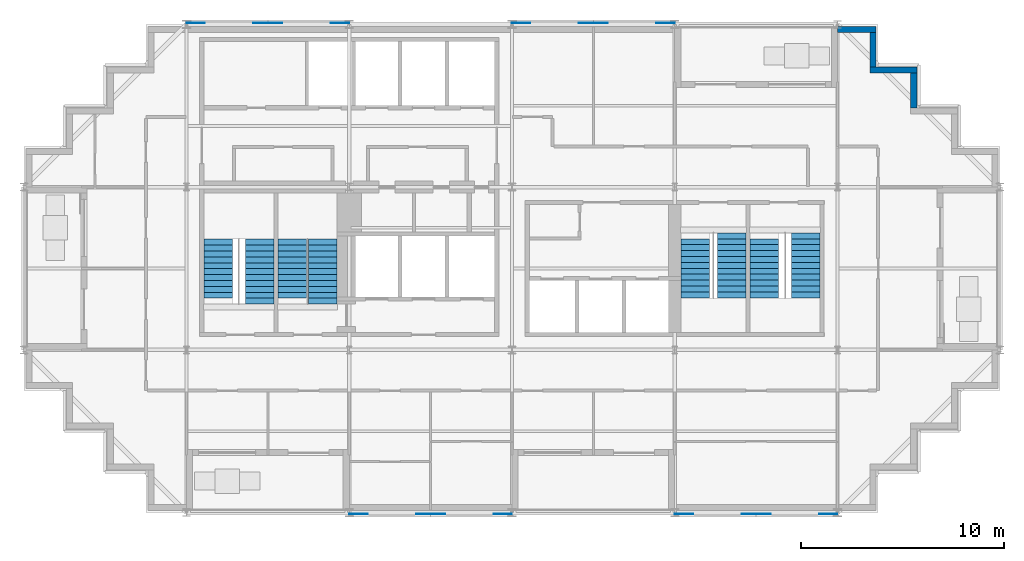
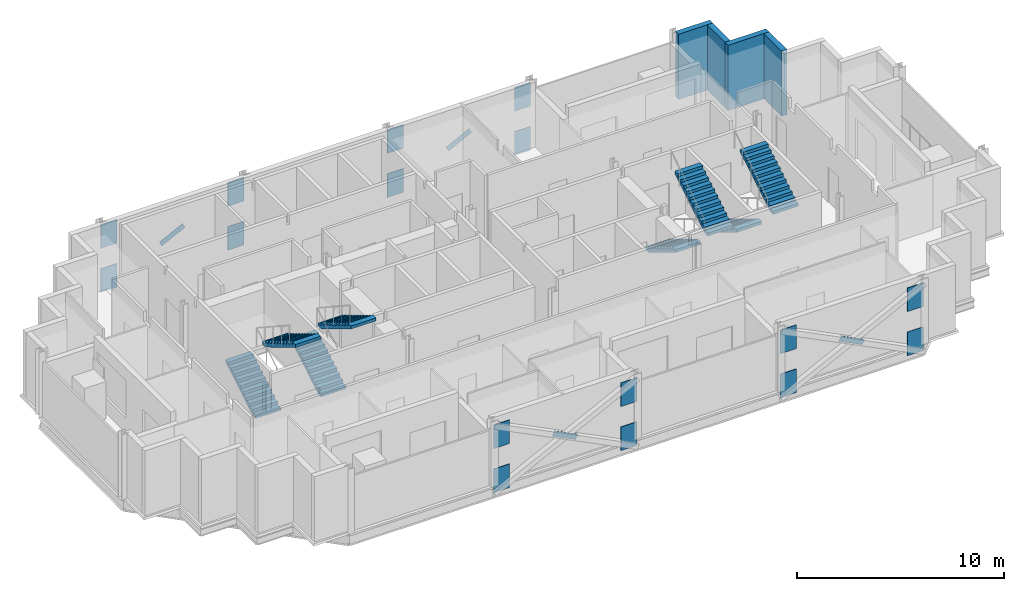
# One storey, part 8 of 10: 20 discrete accessories, 8 stair flights, 4 walls, 4 elements without a shape of their own.
"""IFC4 building model written with IfcOpenShell, lengths in metres."""

from ifc_helpers import new_model, si_unit, direction, frame, frame_2d, origin, origin_2d, place, context, subcontext, project, spatial, polyline, rectangle, outline, extrude, material, layer, layer_set, material_profile, profile_set, type_object, element, aggregate, save


model = new_model("IFC4")

# Units and contexts
model_context = context("Model", 3, precision=1e-05, world=origin(), true_north=direction((0.0, 1.0)))
body_context = subcontext(model_context, "Body", "Model", "MODEL_VIEW")
ifc_project = project(units=[si_unit("LENGTHUNIT", "METRE"), si_unit("AREAUNIT", "SQUARE_METRE"), si_unit("VOLUMEUNIT", "CUBIC_METRE"), si_unit("PLANEANGLEUNIT", "RADIAN"), si_unit("MASSUNIT", "GRAM", prefix="KILO")], contexts=[model_context])

# Site, building, storey
site_placement = place(None, origin())
site = spatial("IfcSite", under=ifc_project, at=site_placement, CompositionType="ELEMENT")
building_placement = place(site_placement, origin())
building = spatial("IfcBuilding", under=site, at=building_placement, Name="Immortelle Media Tower", CompositionType="ELEMENT")
storey_placement = place(building_placement, frame((0.0, 0.0, 291.0)))
storey = spatial("IfcBuildingStorey", under=building, at=storey_placement, Name="L64", CompositionType="ELEMENT", Elevation=291.0)

# Walls
ifc_material_1 = material(Name="Pale aluminium cladding panel", Category="aluminium")
ifc_layer_1 = layer(ifc_material_1, 0.030029296875)
ifc_material_2 = material(Name="Steel ASTM A653 SS Gr 50 stud frame with mineral wool", Category="steel")
ifc_layer_2 = layer(ifc_material_2, 0.257568359375)
ifc_material_3 = material(Name="Moisture-resistant gypsum board", Category="gypsum")
ifc_layer_3 = layer(ifc_material_3, 0.012451171875)
ifc_layer_set = layer_set([ifc_layer_1, ifc_layer_2, ifc_layer_3], Name="Steel ASTM A653 SS Gr 50 stud frame with mineral wool")
wall_type = type_object("IfcWallType", Name="Facade wall 300", PredefinedType="SOLIDWALL", material=ifc_layer_set)
wall_1_placement = place(storey_placement, frame((43.75, 19.89990234375, 0.0), z_axis=(0.0, 0.0, 1.0), x_axis=(0.0, 1.0, 0.0)))
element("IfcWall", 1, at=wall_1_placement, inside=storey, type_object=wall_type, Name="Facade wall L64 E17", PredefinedType="SOLIDWALL", context=body_context, shape_type="SweptSolid", body=[
    extrude(rectangle(XDim=1.7001953125, YDim=0.300048828125, at=frame_2d((0.85009765625, 0.0))), origin(), (0.0, 0.0, 1.0), 3.85009765625),
])
wall_2_placement = place(storey_placement, frame((43.89990234375, 21.75, 0.0), z_axis=(0.0, 0.0, 1.0), x_axis=(-1.0, 0.0, 0.0)))
element("IfcWall", 2, at=wall_2_placement, inside=storey, type_object=wall_type, Name="Facade wall L64 N18", PredefinedType="SOLIDWALL", context=body_context, shape_type="SweptSolid", body=[
    extrude(rectangle(XDim=2.2998046875, YDim=0.300048828125, at=frame_2d((1.14990234375, 0.0))), origin(), (0.0, 0.0, 1.0), 3.85009765625),
])
wall_3_placement = place(storey_placement, frame((41.75, 21.89990234375, 0.0), z_axis=(0.0, 0.0, 1.0), x_axis=(0.0, 1.0, 0.0)))
element("IfcWall", 3, at=wall_3_placement, inside=storey, type_object=wall_type, Name="Facade wall L64 E19", PredefinedType="SOLIDWALL", context=body_context, shape_type="SweptSolid", body=[
    extrude(rectangle(XDim=1.7001953125, YDim=0.300048828125, at=frame_2d((0.85009765625, 0.0))), origin(), (0.0, 0.0, 1.0), 3.85009765625),
])
wall_4_placement = place(storey_placement, frame((41.89990234375, 23.75, 0.0), z_axis=(0.0, 0.0, 1.0), x_axis=(-1.0, 0.0, 0.0)))
element("IfcWall", 4, at=wall_4_placement, inside=storey, type_object=wall_type, Name="Facade wall L64 N20", PredefinedType="SOLIDWALL", context=body_context, shape_type="SweptSolid", body=[
    extrude(rectangle(XDim=1.89990234375, YDim=0.300048828125, at=frame_2d((0.949951171875, 0.0))), origin(), (0.0, 0.0, 1.0), 3.85009765625),
])

# Stair, stair flights
ifc_material_4 = material(Name="Steel ASTM A992 Gr 50", Category="steel")
stair_type = type_object("IfcStairType", Name="Stair with flights", PredefinedType="DOUBLE_RETURN_STAIR", material=ifc_material_4)
stair_1_placement = place(storey_placement, origin())
stair_1 = element("IfcStair", 5, at=stair_1_placement, inside=storey, type_object=stair_type, Name="Exit stair SW1", PredefinedType="DOUBLE_RETURN_STAIR")
stair_flight_type = type_object("IfcStairFlightType", Name="Stair flight 1400", PredefinedType="STRAIGHT", material=ifc_material_4)
stair_flight_1_placement = place(storey_placement, frame((9.550048828125, 10.5400390625, 0.0), z_axis=(0.0, 0.0, 1.0), x_axis=(0.0, 1.0, 0.0)))
stair_flight_1 = element("IfcStairFlight", 6, at=stair_flight_1_placement, type_object=stair_flight_type, Name="ST SW1 flight 1", NumberOfRisers=11, NumberOfTreads=10, PredefinedType="STRAIGHT", RiserHeight=0.173913043, TreadLength=0.29, context=body_context, shape_type="SweptSolid", body=[
    extrude(outline(polyline([(0.0, 0.0), (0.0, 0.173828125), (0.2900390625, 0.173828125), (0.2900390625, 0.347900390625), (0.580078125, 0.347900390625), (0.580078125, 0.521728515625), (0.8701171875, 0.521728515625), (0.8701171875, 0.695556640625), (1.159912109375, 0.695556640625), (1.159912109375, 0.86962890625), (1.449951171875, 0.86962890625), (1.449951171875, 1.04345703125), (1.739990234375, 1.04345703125), (1.739990234375, 1.21728515625), (2.030029296875, 1.21728515625), (2.030029296875, 1.391357421875), (2.320068359375, 1.391357421875), (2.320068359375, 1.565185546875), (2.610107421875, 1.565185546875), (2.610107421875, 1.739013671875), (2.89990234375, 1.739013671875), (2.89990234375, 1.9130859375), (2.89990234375, 1.564453125), (0.29150390625, 0.0), (0.0, 0.0)])), frame((0.0, 0.699951171875, 0.0), z_axis=(0.0, -1.0, 0.0), x_axis=(1.0, 0.0, 0.0)), (0.0, 0.0, 1.0), 1.39990234375),
])
stair_flight_2_placement = place(storey_placement, frame((11.60009765625, 13.43994140625, 1.9130859375), z_axis=(0.0, 0.0, 1.0), x_axis=(0.0, -1.0, 0.0)))
stair_flight_2 = element("IfcStairFlight", 7, at=stair_flight_2_placement, type_object=stair_flight_type, Name="ST SW1 flight 2", NumberOfRisers=12, NumberOfTreads=11, PredefinedType="STRAIGHT", RiserHeight=0.173913043, TreadLength=0.29, context=body_context, shape_type="SweptSolid", body=[
    extrude(outline(polyline([(0.0, 0.0), (0.0, 0.173828125), (0.2900390625, 0.173828125), (0.2900390625, 0.347900390625), (0.580078125, 0.347900390625), (0.580078125, 0.521728515625), (0.8701171875, 0.521728515625), (0.8701171875, 0.695556640625), (1.159912109375, 0.695556640625), (1.159912109375, 0.86962890625), (1.449951171875, 0.86962890625), (1.449951171875, 1.04345703125), (1.739990234375, 1.04345703125), (1.739990234375, 1.21728515625), (2.030029296875, 1.21728515625), (2.030029296875, 1.391357421875), (2.320068359375, 1.391357421875), (2.320068359375, 1.565185546875), (2.610107421875, 1.565185546875), (2.610107421875, 1.739013671875), (2.89990234375, 1.739013671875), (2.89990234375, 1.9130859375), (3.18994140625, 1.9130859375), (3.18994140625, 2.0869140625), (3.18994140625, 1.73828125), (0.29150390625, 0.0), (0.0, 0.0)])), frame((0.0, 0.699951171875, 0.0), z_axis=(0.0, -1.0, 0.0), x_axis=(1.0, 0.0, 0.0)), (0.0, 0.0, 1.0), 1.39990234375),
])
aggregate(stair_1, [stair_flight_1, stair_flight_2])

stair_2_placement = place(storey_placement, origin())
stair_2 = element("IfcStair", 8, at=stair_2_placement, inside=storey, type_object=stair_type, Name="Exit stair SW2", PredefinedType="DOUBLE_RETURN_STAIR")
stair_flight_3_placement = place(storey_placement, frame((13.199951171875, 10.5400390625, 0.0), z_axis=(0.0, 0.0, 1.0), x_axis=(0.0, 1.0, 0.0)))
stair_flight_3 = element("IfcStairFlight", 9, at=stair_flight_3_placement, type_object=stair_flight_type, Name="ST SW2 flight 1", NumberOfRisers=11, NumberOfTreads=10, PredefinedType="STRAIGHT", RiserHeight=0.173913043, TreadLength=0.29, context=body_context, shape_type="SweptSolid", body=[
    extrude(outline(polyline([(0.0, 0.0), (0.0, 0.173828125), (0.2900390625, 0.173828125), (0.2900390625, 0.347900390625), (0.580078125, 0.347900390625), (0.580078125, 0.521728515625), (0.8701171875, 0.521728515625), (0.8701171875, 0.695556640625), (1.159912109375, 0.695556640625), (1.159912109375, 0.86962890625), (1.449951171875, 0.86962890625), (1.449951171875, 1.04345703125), (1.739990234375, 1.04345703125), (1.739990234375, 1.21728515625), (2.030029296875, 1.21728515625), (2.030029296875, 1.391357421875), (2.320068359375, 1.391357421875), (2.320068359375, 1.565185546875), (2.610107421875, 1.565185546875), (2.610107421875, 1.739013671875), (2.89990234375, 1.739013671875), (2.89990234375, 1.9130859375), (2.89990234375, 1.564453125), (0.29150390625, 0.0), (0.0, 0.0)])), frame((0.0, 0.699951171875, 0.0), z_axis=(0.0, -1.0, 0.0), x_axis=(1.0, 0.0, 0.0)), (0.0, 0.0, 1.0), 1.39990234375),
])
stair_flight_4_placement = place(storey_placement, frame((14.699951171875, 13.43994140625, 1.9130859375), z_axis=(0.0, 0.0, 1.0), x_axis=(0.0, -1.0, 0.0)))
stair_flight_4 = element("IfcStairFlight", 10, at=stair_flight_4_placement, type_object=stair_flight_type, Name="ST SW2 flight 2", NumberOfRisers=12, NumberOfTreads=11, PredefinedType="STRAIGHT", RiserHeight=0.173913043, TreadLength=0.29, context=body_context, shape_type="SweptSolid", body=[
    extrude(outline(polyline([(0.0, 0.0), (0.0, 0.173828125), (0.2900390625, 0.173828125), (0.2900390625, 0.347900390625), (0.580078125, 0.347900390625), (0.580078125, 0.521728515625), (0.8701171875, 0.521728515625), (0.8701171875, 0.695556640625), (1.159912109375, 0.695556640625), (1.159912109375, 0.86962890625), (1.449951171875, 0.86962890625), (1.449951171875, 1.04345703125), (1.739990234375, 1.04345703125), (1.739990234375, 1.21728515625), (2.030029296875, 1.21728515625), (2.030029296875, 1.391357421875), (2.320068359375, 1.391357421875), (2.320068359375, 1.565185546875), (2.610107421875, 1.565185546875), (2.610107421875, 1.739013671875), (2.89990234375, 1.739013671875), (2.89990234375, 1.9130859375), (3.18994140625, 1.9130859375), (3.18994140625, 2.0869140625), (3.18994140625, 1.73828125), (0.29150390625, 0.0), (0.0, 0.0)])), frame((0.0, 0.699951171875, 0.0), z_axis=(0.0, -1.0, 0.0), x_axis=(1.0, 0.0, 0.0)), (0.0, 0.0, 1.0), 1.39990234375),
])
aggregate(stair_2, [stair_flight_3, stair_flight_4])

stair_3_placement = place(storey_placement, origin())
stair_3 = element("IfcStair", 11, at=stair_3_placement, inside=storey, type_object=stair_type, Name="Exit stair SE1", PredefinedType="DOUBLE_RETURN_STAIR")
stair_flight_5_placement = place(storey_placement, frame((33.0, 13.4599609375, 0.0), z_axis=(0.0, 0.0, 1.0), x_axis=(0.0, -1.0, 0.0)))
stair_flight_5 = element("IfcStairFlight", 12, at=stair_flight_5_placement, type_object=stair_flight_type, Name="ST SE1 flight 1", NumberOfRisers=11, NumberOfTreads=10, PredefinedType="STRAIGHT", RiserHeight=0.173913043, TreadLength=0.29, context=body_context, shape_type="SweptSolid", body=[
    extrude(outline(polyline([(0.0, 0.0), (0.0, 0.173828125), (0.2900390625, 0.173828125), (0.2900390625, 0.347900390625), (0.580078125, 0.347900390625), (0.580078125, 0.521728515625), (0.8701171875, 0.521728515625), (0.8701171875, 0.695556640625), (1.159912109375, 0.695556640625), (1.159912109375, 0.86962890625), (1.449951171875, 0.86962890625), (1.449951171875, 1.04345703125), (1.739990234375, 1.04345703125), (1.739990234375, 1.21728515625), (2.030029296875, 1.21728515625), (2.030029296875, 1.391357421875), (2.320068359375, 1.391357421875), (2.320068359375, 1.565185546875), (2.610107421875, 1.565185546875), (2.610107421875, 1.739013671875), (2.89990234375, 1.739013671875), (2.89990234375, 1.9130859375), (2.89990234375, 1.564453125), (0.29150390625, 0.0), (0.0, 0.0)])), frame((0.0, 0.699951171875, 0.0), z_axis=(0.0, -1.0, 0.0), x_axis=(1.0, 0.0, 0.0)), (0.0, 0.0, 1.0), 1.39990234375),
])
stair_flight_6_placement = place(storey_placement, frame((34.800048828125, 10.56005859375, 1.9130859375), z_axis=(0.0, 0.0, 1.0), x_axis=(0.0, 1.0, 0.0)))
stair_flight_6 = element("IfcStairFlight", 13, at=stair_flight_6_placement, type_object=stair_flight_type, Name="ST SE1 flight 2", NumberOfRisers=12, NumberOfTreads=11, PredefinedType="STRAIGHT", RiserHeight=0.173913043, TreadLength=0.29, context=body_context, shape_type="SweptSolid", body=[
    extrude(outline(polyline([(0.0, 0.0), (0.0, 0.173828125), (0.2900390625, 0.173828125), (0.2900390625, 0.347900390625), (0.580078125, 0.347900390625), (0.580078125, 0.521728515625), (0.8701171875, 0.521728515625), (0.8701171875, 0.695556640625), (1.159912109375, 0.695556640625), (1.159912109375, 0.86962890625), (1.449951171875, 0.86962890625), (1.449951171875, 1.04345703125), (1.739990234375, 1.04345703125), (1.739990234375, 1.21728515625), (2.030029296875, 1.21728515625), (2.030029296875, 1.391357421875), (2.320068359375, 1.391357421875), (2.320068359375, 1.565185546875), (2.610107421875, 1.565185546875), (2.610107421875, 1.739013671875), (2.89990234375, 1.739013671875), (2.89990234375, 1.9130859375), (3.18994140625, 1.9130859375), (3.18994140625, 2.0869140625), (3.18994140625, 1.73828125), (0.29150390625, 0.0), (0.0, 0.0)])), frame((0.0, 0.699951171875, 0.0), z_axis=(0.0, -1.0, 0.0), x_axis=(1.0, 0.0, 0.0)), (0.0, 0.0, 1.0), 1.39990234375),
])
aggregate(stair_3, [stair_flight_5, stair_flight_6])

stair_4_placement = place(storey_placement, origin())
stair_4 = element("IfcStair", 14, at=stair_4_placement, inside=storey, type_object=stair_type, Name="Exit stair SE2", PredefinedType="DOUBLE_RETURN_STAIR")
stair_flight_7_placement = place(storey_placement, frame((36.39990234375, 13.4599609375, 0.0), z_axis=(0.0, 0.0, 1.0), x_axis=(0.0, -1.0, 0.0)))
stair_flight_7 = element("IfcStairFlight", 15, at=stair_flight_7_placement, type_object=stair_flight_type, Name="ST SE2 flight 1", NumberOfRisers=11, NumberOfTreads=10, PredefinedType="STRAIGHT", RiserHeight=0.173913043, TreadLength=0.29, context=body_context, shape_type="SweptSolid", body=[
    extrude(outline(polyline([(0.0, 0.0), (0.0, 0.173828125), (0.2900390625, 0.173828125), (0.2900390625, 0.347900390625), (0.580078125, 0.347900390625), (0.580078125, 0.521728515625), (0.8701171875, 0.521728515625), (0.8701171875, 0.695556640625), (1.159912109375, 0.695556640625), (1.159912109375, 0.86962890625), (1.449951171875, 0.86962890625), (1.449951171875, 1.04345703125), (1.739990234375, 1.04345703125), (1.739990234375, 1.21728515625), (2.030029296875, 1.21728515625), (2.030029296875, 1.391357421875), (2.320068359375, 1.391357421875), (2.320068359375, 1.565185546875), (2.610107421875, 1.565185546875), (2.610107421875, 1.739013671875), (2.89990234375, 1.739013671875), (2.89990234375, 1.9130859375), (2.89990234375, 1.564453125), (0.29150390625, 0.0), (0.0, 0.0)])), frame((0.0, 0.699951171875, 0.0), z_axis=(0.0, -1.0, 0.0), x_axis=(1.0, 0.0, 0.0)), (0.0, 0.0, 1.0), 1.39990234375),
])
stair_flight_8_placement = place(storey_placement, frame((38.449951171875, 10.56005859375, 1.9130859375), z_axis=(0.0, 0.0, 1.0), x_axis=(0.0, 1.0, 0.0)))
stair_flight_8 = element("IfcStairFlight", 16, at=stair_flight_8_placement, type_object=stair_flight_type, Name="ST SE2 flight 2", NumberOfRisers=12, NumberOfTreads=11, PredefinedType="STRAIGHT", RiserHeight=0.173913043, TreadLength=0.29, context=body_context, shape_type="SweptSolid", body=[
    extrude(outline(polyline([(0.0, 0.0), (0.0, 0.173828125), (0.2900390625, 0.173828125), (0.2900390625, 0.347900390625), (0.580078125, 0.347900390625), (0.580078125, 0.521728515625), (0.8701171875, 0.521728515625), (0.8701171875, 0.695556640625), (1.159912109375, 0.695556640625), (1.159912109375, 0.86962890625), (1.449951171875, 0.86962890625), (1.449951171875, 1.04345703125), (1.739990234375, 1.04345703125), (1.739990234375, 1.21728515625), (2.030029296875, 1.21728515625), (2.030029296875, 1.391357421875), (2.320068359375, 1.391357421875), (2.320068359375, 1.565185546875), (2.610107421875, 1.565185546875), (2.610107421875, 1.739013671875), (2.89990234375, 1.739013671875), (2.89990234375, 1.9130859375), (3.18994140625, 1.9130859375), (3.18994140625, 2.0869140625), (3.18994140625, 1.73828125), (0.29150390625, 0.0), (0.0, 0.0)])), frame((0.0, 0.699951171875, 0.0), z_axis=(0.0, -1.0, 0.0), x_axis=(1.0, 0.0, 0.0)), (0.0, 0.0, 1.0), 1.39990234375),
])
aggregate(stair_4, [stair_flight_7, stair_flight_8])

# Discrete accessories
ifc_material_5 = material(Name="Steel ASTM A572 Gr 50", Category="steel")
ifc_material_profile_1 = material_profile(ifc_material_5, rectangle(XDim=0.02001953125, YDim=0.304931640625, at=origin_2d()), Name="PL 20 x 305")
ifc_profile_set_1 = profile_set([ifc_material_profile_1], Name="Steel ASTM A572 Gr 50")
discrete_accessory_type_1 = type_object("IfcDiscreteAccessoryType", Name="Crossing plate XP-BR7 1450 x 305 x 20", PredefinedType="USERDEFINED", material=ifc_profile_set_1)
for number, where, z_axis, x_axis, name in (
    (17, (28.6484375, 24.0625, 1.873291015625), (-0.894427191, 0.0, -0.4472135955), (0.0, -1.0, 0.0), "Crossing plate XP-BR7 of Brace D/4-5 A and Brace D/4-5 B"),
    (18, (12.6484375, 24.0625, 1.873291015625), (-0.894427191, 0.0, -0.4472135955), (0.0, -1.0, 0.0), "Crossing plate XP-BR7 of Brace D/2-3 A and Brace D/2-3 B"),
    (19, (19.3515625, -0.0625, 1.873291015625), (0.894427191, 0.0, -0.4472135955), (0.0, 1.0, 0.0), "Crossing plate XP-BR7 of Brace A/3-4 A and Brace A/3-4 B"),
    (20, (35.3515625, -0.0625, 1.873291015625), (0.894427191, 0.0, -0.4472135955), (0.0, 1.0, 0.0), "Crossing plate XP-BR7 of Brace A/5-6 A and Brace A/5-6 B"),
):
    element("IfcDiscreteAccessory", number, at=place(storey_placement, frame(where, z_axis=z_axis, x_axis=x_axis)), inside=storey, type_object=discrete_accessory_type_1, Name=name, ObjectType="CROSSING PLATE", PredefinedType="USERDEFINED", context=body_context, shape_type="SweptSolid", body=[
        extrude(rectangle(XDim=0.02001953125, YDim=0.304931640625, at=origin_2d()), origin(), (0.0, 0.0, 1.0), 1.449951171875),
    ])
ifc_material_profile_2 = material_profile(ifc_material_5, rectangle(XDim=0.031982421875, YDim=1.39990234375, at=origin_2d()), Name="PL 32 x 1400")
ifc_profile_set_2 = profile_set([ifc_material_profile_2], Name="Steel ASTM A572 Gr 50")
discrete_accessory_type_2 = type_object("IfcDiscreteAccessoryType", Name="Gusset plate GP1 900 x 1400 x 32", PredefinedType="USERDEFINED", material=ifc_profile_set_2)
for number, where, z_axis, x_axis, name in (
    (21, (16.0, -0.0625, 0.2490234375), (1.0, 0.0, 0.0), (0.0, 1.0, 0.0), "Gusset plate GP1, lower end of Brace A/3-4 A"),
    (22, (24.0, -0.0625, 2.84912109375), (-1.0, 0.0, 0.0), (0.0, -1.0, 0.0), "Gusset plate GP1, upper end of Brace A/3-4 A"),
    (23, (24.0, -0.0625, 0.2490234375), (-1.0, 0.0, 0.0), (0.0, -1.0, 0.0), "Gusset plate GP1, lower end of Brace A/3-4 B"),
    (24, (16.0, -0.0625, 2.84912109375), (1.0, 0.0, 0.0), (0.0, 1.0, 0.0), "Gusset plate GP1, upper end of Brace A/3-4 B"),
    (25, (32.0, -0.0625, 0.2490234375), (1.0, 0.0, 0.0), (0.0, 1.0, 0.0), "Gusset plate GP1, lower end of Brace A/5-6 A"),
    (26, (40.0, -0.0625, 2.84912109375), (-1.0, 0.0, 0.0), (0.0, -1.0, 0.0), "Gusset plate GP1, upper end of Brace A/5-6 A"),
    (27, (40.0, -0.0625, 0.2490234375), (-1.0, 0.0, 0.0), (0.0, -1.0, 0.0), "Gusset plate GP1, lower end of Brace A/5-6 B"),
    (28, (32.0, -0.0625, 2.84912109375), (1.0, 0.0, 0.0), (0.0, 1.0, 0.0), "Gusset plate GP1, upper end of Brace A/5-6 B"),
    (29, (32.0, 24.0625, 0.2490234375), (-1.0, 0.0, 0.0), (0.0, -1.0, 0.0), "Gusset plate GP1, lower end of Brace D/4-5 A"),
    (30, (24.0, 24.0625, 2.84912109375), (1.0, 0.0, 0.0), (0.0, 1.0, 0.0), "Gusset plate GP1, upper end of Brace D/4-5 A"),
    (31, (24.0, 24.0625, 0.2490234375), (1.0, 0.0, 0.0), (0.0, 1.0, 0.0), "Gusset plate GP1, lower end of Brace D/4-5 B"),
    (32, (32.0, 24.0625, 2.84912109375), (-1.0, 0.0, 0.0), (0.0, -1.0, 0.0), "Gusset plate GP1, upper end of Brace D/4-5 B"),
    (33, (16.0, 24.0625, 0.2490234375), (-1.0, 0.0, 0.0), (0.0, -1.0, 0.0), "Gusset plate GP1, lower end of Brace D/2-3 A"),
    (34, (8.0, 24.0625, 2.84912109375), (1.0, 0.0, 0.0), (0.0, 1.0, 0.0), "Gusset plate GP1, upper end of Brace D/2-3 A"),
    (35, (8.0, 24.0625, 0.2490234375), (1.0, 0.0, 0.0), (0.0, 1.0, 0.0), "Gusset plate GP1, lower end of Brace D/2-3 B"),
    (36, (16.0, 24.0625, 2.84912109375), (-1.0, 0.0, 0.0), (0.0, -1.0, 0.0), "Gusset plate GP1, upper end of Brace D/2-3 B"),
):
    element("IfcDiscreteAccessory", number, at=place(storey_placement, frame(where, z_axis=z_axis, x_axis=x_axis)), inside=storey, type_object=discrete_accessory_type_2, Name=name, ObjectType="GUSSET PLATE", PredefinedType="USERDEFINED", context=body_context, shape_type="SweptSolid", body=[
        extrude(rectangle(XDim=0.031982421875, YDim=1.39990234375, at=origin_2d()), origin(), (0.0, 0.0, 1.0), 0.89990234375),
    ])

save(model, "model.ifc")
